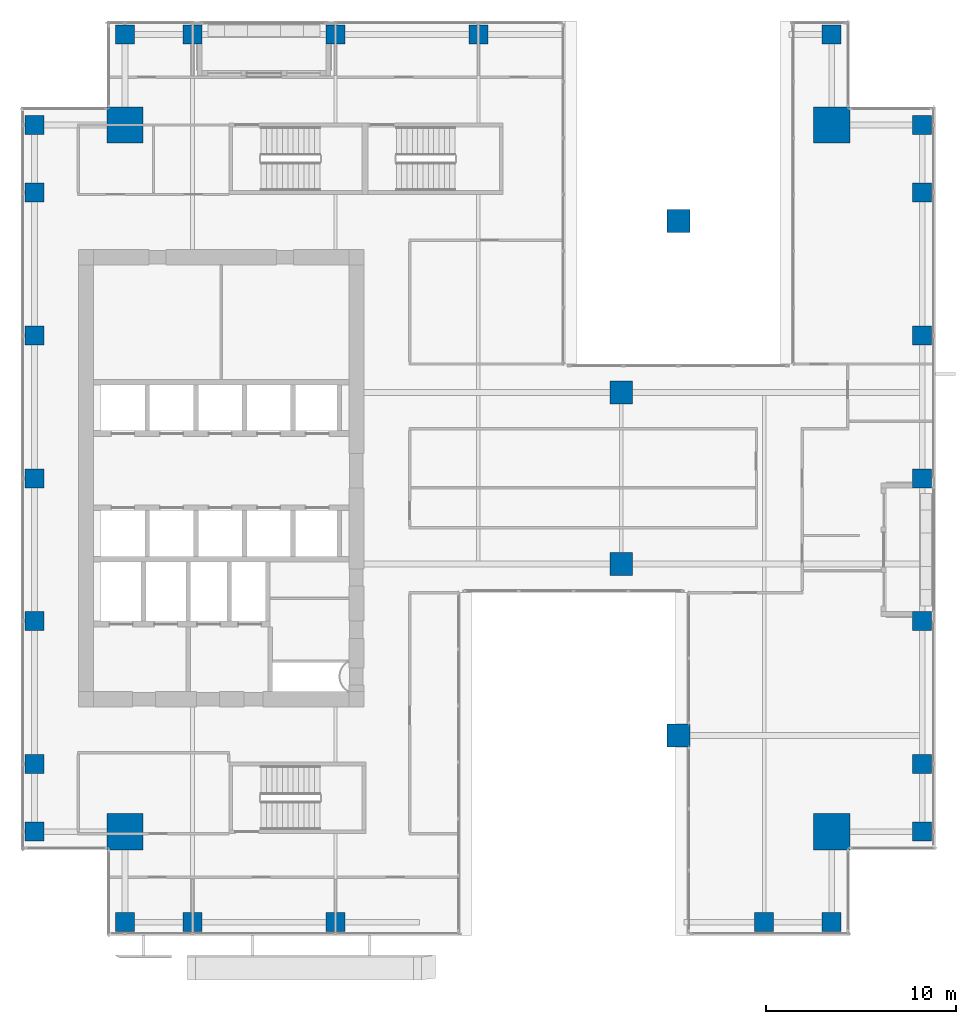
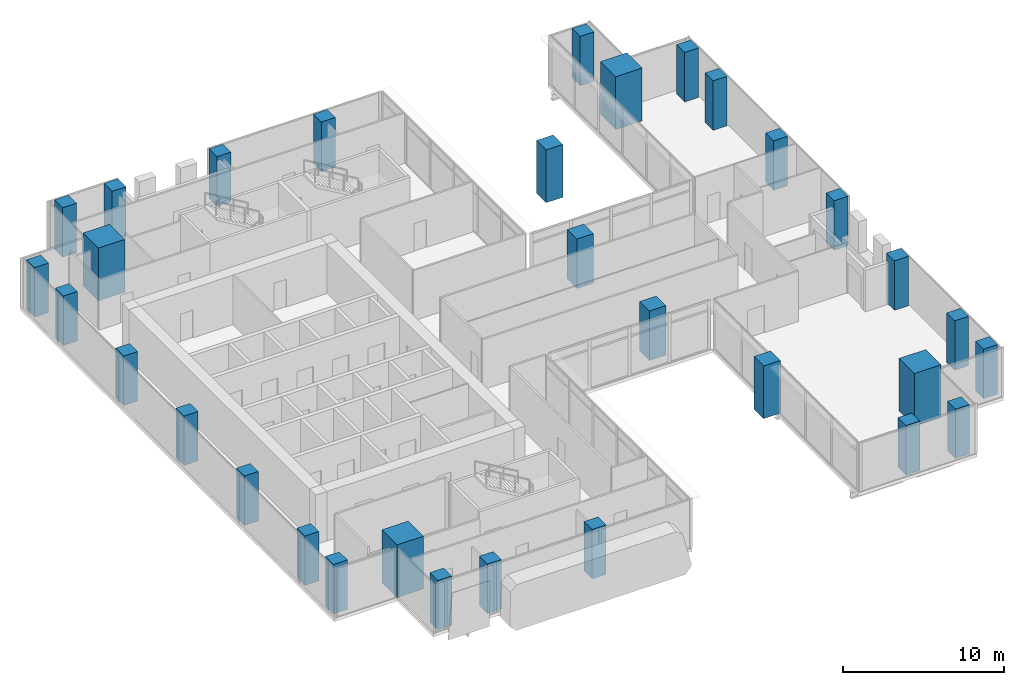
# One storey, part 1 of 37: 32 columns.
"""IFC4 building model written with IfcOpenShell, lengths in metres."""

from ifc_helpers import new_model, si_unit, direction, frame, origin, origin_2d, place, context, subcontext, project, spatial, rectangle, extrude, source, transform, mapped, material, material_profile, profile_set, type_object, element, save


model = new_model("IFC4")

# Units and contexts
model_context = context("Model", 3, precision=1e-05, world=origin(), true_north=direction((0.0, 1.0)))
body_context = subcontext(model_context, "Body", "Model", "MODEL_VIEW")
ifc_project = project(units=[si_unit("LENGTHUNIT", "METRE"), si_unit("AREAUNIT", "SQUARE_METRE"), si_unit("VOLUMEUNIT", "CUBIC_METRE"), si_unit("PLANEANGLEUNIT", "RADIAN"), si_unit("MASSUNIT", "GRAM", prefix="KILO")], contexts=[model_context])

# Site, building, storey
site_placement = place(None, origin())
site = spatial("IfcSite", under=ifc_project, at=site_placement, CompositionType="ELEMENT")
building_placement = place(site_placement, origin())
building = spatial("IfcBuilding", under=site, at=building_placement, Name="Khomas Fold Tower", CompositionType="ELEMENT")
storey_placement = place(building_placement, frame((0.0, 0.0, 168.699951171875)))
storey = spatial("IfcBuildingStorey", under=building, at=storey_placement, Name="L36", CompositionType="ELEMENT", Elevation=168.699951171875)

# Columns
ifc_material_1 = material(Name="Concrete C60/75", Category="concrete")
ifc_material_profile_1 = material_profile(ifc_material_1, rectangle(XDim=1.199951171875, YDim=1.199951171875, at=origin_2d()), Name="RC 1200x1200")
ifc_profile_set_1 = profile_set([ifc_material_profile_1], Name="Concrete C60/75")
column_type_1 = type_object("IfcColumnType", Name="RC 1200x1200 column", PredefinedType="COLUMN", material=ifc_profile_set_1)
shared_shape_1 = source(origin(), body_context, "Body", "SweptSolid", [
    extrude(rectangle(XDim=1.199951171875, YDim=1.199951171875, at=origin_2d()), origin(), (0.0, 0.0, 1.0), 4.0),
])
for number, where, z_axis, x_axis, name in (
    (1, (37.5, 13.5, 0.0), (0.0, 0.0, 1.0), (1.0, 0.0, 0.0), "C-11-H"),
    (2, (37.5, 40.5, 0.0), (0.0, 0.0, 1.0), (1.0, 0.0, 0.0), "C-11-P"),
):
    element("IfcColumn", number, at=place(storey_placement, frame(where, z_axis=z_axis, x_axis=x_axis)), inside=storey, type_object=column_type_1, Name=name, PredefinedType="COLUMN", context=body_context, shape_type="MappedRepresentation", body=[
        mapped(shared_shape_1, transform((0.0, 0.0, 0.0))),
    ])
ifc_material_2 = material(Name="Concrete C60/75", Category="concrete")
ifc_material_profile_2 = material_profile(ifc_material_2, rectangle(XDim=1.89990234375, YDim=1.89990234375, at=origin_2d()), Name="RC 1900x1900")
ifc_profile_set_2 = profile_set([ifc_material_profile_2], Name="Concrete C60/75")
column_type_2 = type_object("IfcColumnType", Name="RC 1900x1900 column", PredefinedType="COLUMN", material=ifc_profile_set_2)
shared_shape_2 = source(origin(), body_context, "Body", "SweptSolid", [
    extrude(rectangle(XDim=1.89990234375, YDim=1.89990234375, at=origin_2d()), origin(), (0.0, 0.0, 1.0), 4.0),
])
for number, where, z_axis, x_axis, name in (
    (3, (45.550048828125, 45.550048828125, 0.0), (0.0, 0.0, 1.0), (1.0, 0.0, 0.0), "CM-NE"),
    (4, (8.449951171875, 45.550048828125, 0.0), (0.0, 0.0, 1.0), (1.0, 0.0, 0.0), "CM-NW"),
    (5, (45.550048828125, 8.449951171875, 0.0), (0.0, 0.0, 1.0), (1.0, 0.0, 0.0), "CM-SE"),
    (6, (8.449951171875, 8.449951171875, 0.0), (0.0, 0.0, 1.0), (1.0, 0.0, 0.0), "CM-SW"),
):
    element("IfcColumn", number, at=place(storey_placement, frame(where, z_axis=z_axis, x_axis=x_axis)), inside=storey, type_object=column_type_2, Name=name, PredefinedType="COLUMN", context=body_context, shape_type="MappedRepresentation", body=[
        mapped(shared_shape_2, transform((0.0, 0.0, 0.0))),
    ])
ifc_material_3 = material(Name="Concrete C50/60", Category="concrete")
ifc_material_profile_3 = material_profile(ifc_material_3, rectangle(XDim=1.0, YDim=1.0, at=origin_2d()), Name="RC 1000x1000")
ifc_profile_set_3 = profile_set([ifc_material_profile_3], Name="Concrete C50/60")
column_type_3 = type_object("IfcColumnType", Name="RC 1000x1000 column", PredefinedType="COLUMN", material=ifc_profile_set_3)
shared_shape_3 = source(origin(), body_context, "Body", "SweptSolid", [
    extrude(rectangle(XDim=1.0, YDim=1.0, at=origin_2d()), origin(), (0.0, 0.0, 1.0), 3.75),
])
for number, where, z_axis, x_axis, name in (
    (7, (8.449951171875, 3.699951171875, 0.0), (0.0, 0.0, 1.0), (1.0, 0.0, 0.0), "C-4-SF3"),
    (8, (12.0, 3.699951171875, 0.0), (0.0, 0.0, 1.0), (1.0, 0.0, 0.0), "C-6-SF3"),
    (9, (19.5, 3.699951171875, 0.0), (0.0, 0.0, 1.0), (1.0, 0.0, 0.0), "C-8-SF3"),
    (10, (42.0, 3.699951171875, 0.0), (0.0, 0.0, 1.0), (1.0, 0.0, 0.0), "C-13-SF3"),
    (11, (45.550048828125, 3.699951171875, 0.0), (0.0, 0.0, 1.0), (1.0, 0.0, 0.0), "C-15-SF3"),
    (12, (50.300048828125, 8.449951171875, 0.0), (0.0, 0.0, 1.0), (1.0, 0.0, 0.0), "C-E3-D"),
    (13, (50.300048828125, 12.0, 0.0), (0.0, 0.0, 1.0), (1.0, 0.0, 0.0), "C-E3-F"),
    (14, (50.300048828125, 19.5, 0.0), (0.0, 0.0, 1.0), (1.0, 0.0, 0.0), "C-E3-J"),
    (15, (50.300048828125, 27.0, 0.0), (0.0, 0.0, 1.0), (1.0, 0.0, 0.0), "C-E3-L"),
    (16, (50.300048828125, 34.5, 0.0), (0.0, 0.0, 1.0), (1.0, 0.0, 0.0), "C-E3-N"),
    (17, (50.300048828125, 42.0, 0.0), (0.0, 0.0, 1.0), (1.0, 0.0, 0.0), "C-E3-R"),
    (18, (50.300048828125, 45.550048828125, 0.0), (0.0, 0.0, 1.0), (1.0, 0.0, 0.0), "C-E3-T"),
    (19, (8.449951171875, 50.300048828125, 0.0), (0.0, 0.0, 1.0), (1.0, 0.0, 0.0), "C-4-NF3"),
    (20, (12.0, 50.300048828125, 0.0), (0.0, 0.0, 1.0), (1.0, 0.0, 0.0), "C-6-NF3"),
    (21, (19.5, 50.300048828125, 0.0), (0.0, 0.0, 1.0), (1.0, 0.0, 0.0), "C-8-NF3"),
    (22, (27.0, 50.300048828125, 0.0), (0.0, 0.0, 1.0), (1.0, 0.0, 0.0), "C-9-NF3"),
    (23, (45.550048828125, 50.300048828125, 0.0), (0.0, 0.0, 1.0), (1.0, 0.0, 0.0), "C-15-NF3"),
    (24, (3.699951171875, 8.449951171875, 0.0), (0.0, 0.0, 1.0), (1.0, 0.0, 0.0), "C-W3-D"),
    (25, (3.699951171875, 12.0, 0.0), (0.0, 0.0, 1.0), (1.0, 0.0, 0.0), "C-W3-F"),
    (26, (3.699951171875, 19.5, 0.0), (0.0, 0.0, 1.0), (1.0, 0.0, 0.0), "C-W3-J"),
    (27, (3.699951171875, 27.0, 0.0), (0.0, 0.0, 1.0), (1.0, 0.0, 0.0), "C-W3-L"),
    (28, (3.699951171875, 34.5, 0.0), (0.0, 0.0, 1.0), (1.0, 0.0, 0.0), "C-W3-N"),
    (29, (3.699951171875, 42.0, 0.0), (0.0, 0.0, 1.0), (1.0, 0.0, 0.0), "C-W3-R"),
    (30, (3.699951171875, 45.550048828125, 0.0), (0.0, 0.0, 1.0), (1.0, 0.0, 0.0), "C-W3-T"),
):
    element("IfcColumn", number, at=place(storey_placement, frame(where, z_axis=z_axis, x_axis=x_axis)), inside=storey, type_object=column_type_3, Name=name, PredefinedType="COLUMN", context=body_context, shape_type="MappedRepresentation", body=[
        mapped(shared_shape_3, transform((0.0, 0.0, 0.0))),
    ])
shared_shape_4 = source(origin(), body_context, "Body", "SweptSolid", [
    extrude(rectangle(XDim=1.199951171875, YDim=1.199951171875, at=origin_2d()), origin(), (0.0, 0.0, 1.0), 3.75),
])
for number, where, z_axis, x_axis, name in (
    (31, (34.5, 22.5, 0.0), (0.0, 0.0, 1.0), (1.0, 0.0, 0.0), "C-10-K"),
    (32, (34.5, 31.5, 0.0), (0.0, 0.0, 1.0), (1.0, 0.0, 0.0), "C-10-M"),
):
    element("IfcColumn", number, at=place(storey_placement, frame(where, z_axis=z_axis, x_axis=x_axis)), inside=storey, type_object=column_type_1, Name=name, PredefinedType="COLUMN", context=body_context, shape_type="MappedRepresentation", body=[
        mapped(shared_shape_4, transform((0.0, 0.0, 0.0))),
    ])

save(model, "model.ifc")
